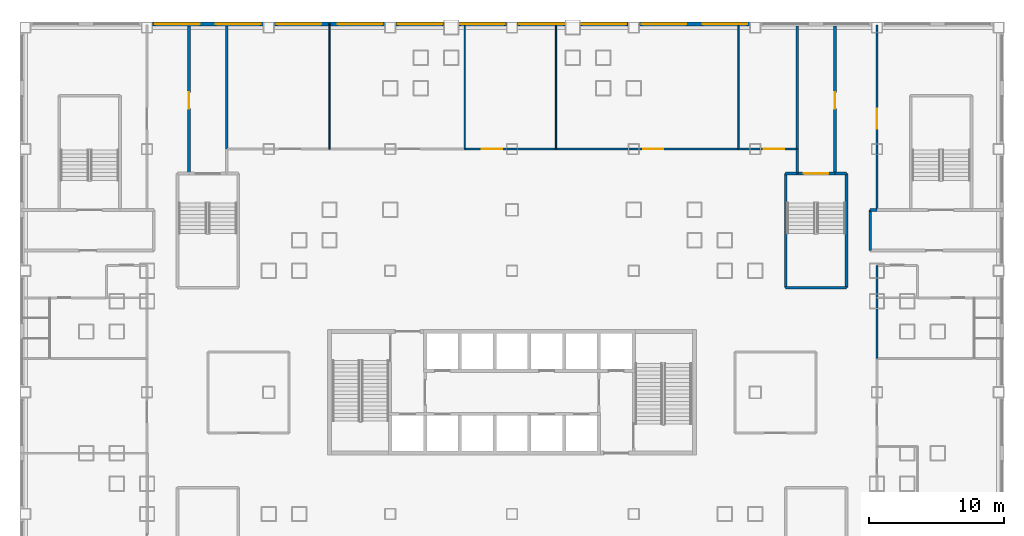
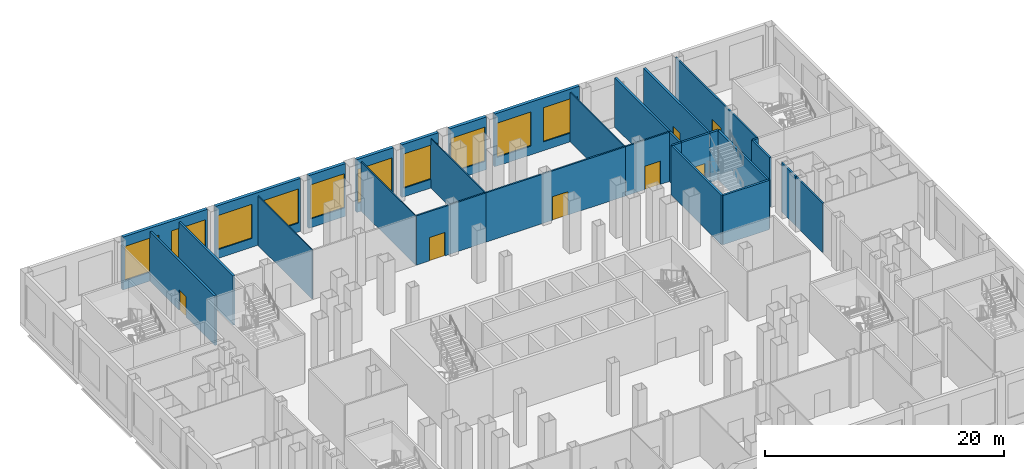
# One storey, part 7 of 27: 30 walls, 10 windows, 7 doors, 17 openings.
"""IFC4 building model written with IfcOpenShell, lengths in metres."""

from ifc_helpers import new_model, si_unit, direction, frame, frame_2d, origin, place, context, subcontext, project, spatial, rectangle, extrude, material, layer, layer_set, type_object, element, fill, save


model = new_model("IFC4")

# Units and contexts
model_context = context("Model", 3, precision=1e-05, world=origin(), true_north=direction((0.0, 1.0)))
body_context = subcontext(model_context, "Body", "Model", "MODEL_VIEW")
ifc_project = project(units=[si_unit("LENGTHUNIT", "METRE"), si_unit("AREAUNIT", "SQUARE_METRE"), si_unit("VOLUMEUNIT", "CUBIC_METRE"), si_unit("PLANEANGLEUNIT", "RADIAN"), si_unit("MASSUNIT", "GRAM", prefix="KILO")], contexts=[model_context])

# Site, building, storey
site_placement = place(None, origin())
site = spatial("IfcSite", under=ifc_project, at=site_placement, CompositionType="ELEMENT")
building_placement = place(site_placement, origin())
building = spatial("IfcBuilding", under=site, at=building_placement, Name="Caravel Reach Hotel and Residences", CompositionType="ELEMENT")
storey_placement = place(building_placement, frame((0.0, 0.0, 6.60009765625)))
storey = spatial("IfcBuildingStorey", under=building, at=storey_placement, Name="L01", CompositionType="ELEMENT", Elevation=6.60009765625)

# Walls
ifc_material_1 = material(Name="Autoclaved aerated block wall")
ifc_layer_1 = layer(ifc_material_1, 0.199951171875)
ifc_layer_set_1 = layer_set([ifc_layer_1], Name="Compartment wall 200 mm EI 120")
wall_type_1 = type_object("IfcWallType", Name="Compartment wall 200 mm EI 120", PredefinedType="PARTITIONING", material=ifc_layer_set_1)
wall_1_placement = place(storey_placement, frame((58.0, 40.5, 0.0), z_axis=(0.0, 0.0, 1.0), x_axis=(1.0, 0.0, 0.0)))
element("IfcWall", 1, at=wall_1_placement, inside=storey, type_object=wall_type_1, Name="L01 wall w072", PredefinedType="PARTITIONING", context=body_context, shape_type="SweptSolid", body=[
    extrude(rectangle(XDim=0.5, YDim=0.199951171875, at=frame_2d((0.25, 0.0))), origin(), (0.0, 0.0, 1.0), 5.0498046875),
])
wall_2_placement = place(storey_placement, frame((10.39990234375, 45.0, 0.0), z_axis=(0.0, 0.0, 1.0), x_axis=(0.0, 1.0, 0.0)))
element("IfcWall", 2, at=wall_2_placement, inside=storey, type_object=wall_type_1, Name="L01 wall w076", PredefinedType="PARTITIONING", context=body_context, shape_type="SweptSolid", body=[
    extrude(rectangle(XDim=9.1201171875, YDim=0.199951171875, at=frame_2d((4.56005859375, 0.0))), origin(), (0.0, 0.0, 1.0), 5.0498046875),
])
wall_3_placement = place(storey_placement, frame((52.60009765625, 43.199951171875, 0.0), z_axis=(0.0, 0.0, 1.0), x_axis=(0.0, 1.0, 0.0)))
element("IfcWall", 3, at=wall_3_placement, inside=storey, type_object=wall_type_1, Name="L01 wall w080", PredefinedType="PARTITIONING", context=body_context, shape_type="SweptSolid", body=[
    extrude(rectangle(XDim=1.800048828125, YDim=0.199951171875, at=frame_2d((0.89990234375, 0.0))), origin(), (0.0, 0.0, 1.0), 5.0498046875),
])
wall_4_placement = place(storey_placement, frame((52.60009765625, 45.0, 0.0), z_axis=(0.0, 0.0, 1.0), x_axis=(0.0, 1.0, 0.0)))
element("IfcWall", 4, at=wall_4_placement, inside=storey, type_object=wall_type_1, Name="L01 wall w081", PredefinedType="PARTITIONING", context=body_context, shape_type="SweptSolid", body=[
    extrude(rectangle(XDim=9.1201171875, YDim=0.199951171875, at=frame_2d((4.56005859375, 0.0))), origin(), (0.0, 0.0, 1.0), 5.0498046875),
])

# Wall, opening, door
wall_5_placement = place(storey_placement, frame((55.39990234375, 43.199951171875, 0.0), z_axis=(0.0, 0.0, 1.0), x_axis=(0.0, 1.0, 0.0)))
wall_5 = element("IfcWall", 5, at=wall_5_placement, inside=storey, type_object=wall_type_1, Name="L01 wall w084", PredefinedType="PARTITIONING", context=body_context, shape_type="SweptSolid", body=[
    extrude(rectangle(XDim=10.920166015625, YDim=0.199951171875, at=frame_2d((5.4599609375, 0.0))), origin(), (0.0, 0.0, 1.0), 5.0498046875),
])
opening_1_placement = place(wall_5_placement, frame((4.800048828125, 0.0, 0.0)))
opening_1 = element("IfcOpeningElement", 6, at=opening_1_placement, cuts=wall_5, Name="Opening D01-016", PredefinedType="OPENING", context=body_context, shape_type="SweptSolid", body=[
    extrude(rectangle(XDim=1.199951171875, YDim=2.10009765625, at=frame_2d((0.60009765625, 1.050048828125))), frame((0.0, 0.10986328125, 0.0), z_axis=(0.0, -1.0, 0.0), x_axis=(1.0, 0.0, 0.0)), (0.0, 0.0, 1.0), 0.219970703125),
])
ifc_material_2 = material(Name="Steel fire door leaf", Category="steel")
door_type_1 = type_object("IfcDoorType", Name="Fire lobby door 1200 x 2100 EI 90", OperationType="SINGLE_SWING_LEFT", PredefinedType="DOOR", material=ifc_material_2)
door_1_placement = place(opening_1_placement, origin())
door_1 = element("IfcDoor", 7, at=door_1_placement, inside=storey, type_object=door_type_1, Name="door D01-016", OperationType="SINGLE_SWING_LEFT", OverallHeight=2.10009765625, OverallWidth=1.199951171875, PredefinedType="DOOR", context=body_context, shape_type="SweptSolid", body=[
    extrude(rectangle(XDim=1.199951171875, YDim=2.10009765625, at=frame_2d((0.60009765625, 1.050048828125))), frame((0.0, 0.02490234375, 0.0), z_axis=(0.0, -1.0, 0.0), x_axis=(1.0, 0.0, 0.0)), (0.0, 0.0, 1.0), 0.050048828125),
])
fill(opening_1, door_1)

# Wall
wall_6_placement = place(storey_placement, frame((58.0, 37.5, 0.0), z_axis=(0.0, 0.0, 1.0), x_axis=(0.0, 1.0, 0.0)))
element("IfcWall", 8, at=wall_6_placement, inside=storey, type_object=wall_type_1, Name="L01 wall w087", PredefinedType="PARTITIONING", context=body_context, shape_type="SweptSolid", body=[
    extrude(rectangle(XDim=3.0, YDim=0.199951171875, at=frame_2d((1.5, 0.0))), origin(), (0.0, 0.0, 1.0), 5.0498046875),
])

# Wall, opening, door
wall_7_placement = place(storey_placement, frame((7.60009765625, 43.199951171875, 0.0), z_axis=(0.0, 0.0, 1.0), x_axis=(0.0, 1.0, 0.0)))
wall_7 = element("IfcWall", 9, at=wall_7_placement, inside=storey, type_object=wall_type_1, Name="L01 wall w089", PredefinedType="PARTITIONING", context=body_context, shape_type="SweptSolid", body=[
    extrude(rectangle(XDim=10.920166015625, YDim=0.199951171875, at=frame_2d((5.4599609375, 0.0))), origin(), (0.0, 0.0, 1.0), 5.0498046875),
])
opening_2_placement = place(wall_7_placement, frame((4.800048828125, 0.0, 0.0)))
opening_2 = element("IfcOpeningElement", 10, at=opening_2_placement, cuts=wall_7, Name="Opening D01-014", PredefinedType="OPENING", context=body_context, shape_type="SweptSolid", body=[
    extrude(rectangle(XDim=1.199951171875, YDim=2.10009765625, at=frame_2d((0.60009765625, 1.050048828125))), frame((0.0, 0.10986328125, 0.0), z_axis=(0.0, -1.0, 0.0), x_axis=(1.0, 0.0, 0.0)), (0.0, 0.0, 1.0), 0.219970703125),
])
door_2_placement = place(opening_2_placement, origin())
door_2 = element("IfcDoor", 11, at=door_2_placement, inside=storey, type_object=door_type_1, Name="door D01-014", OperationType="SINGLE_SWING_LEFT", OverallHeight=2.10009765625, OverallWidth=1.199951171875, PredefinedType="DOOR", context=body_context, shape_type="SweptSolid", body=[
    extrude(rectangle(XDim=1.199951171875, YDim=2.10009765625, at=frame_2d((0.60009765625, 1.050048828125))), frame((0.0, 0.02490234375, 0.0), z_axis=(0.0, -1.0, 0.0), x_axis=(1.0, 0.0, 0.0)), (0.0, 0.0, 1.0), 0.050048828125),
])
fill(opening_2, door_2)

ifc_material_3 = material(Name="Gypsum board on steel stud, fire-rated", Category="steel")
ifc_layer_2 = layer(ifc_material_3, 0.14990234375)
ifc_layer_set_2 = layer_set([ifc_layer_2], Name="Corridor wall 150 mm EI 60")
wall_type_2 = type_object("IfcWallType", Name="Corridor wall 150 mm EI 60", PredefinedType="PARTITIONING", material=ifc_layer_set_2)
wall_8_placement = place(storey_placement, frame((28.0, 45.0, 0.0), z_axis=(0.0, 0.0, 1.0), x_axis=(1.0, 0.0, 0.0)))
wall_8 = element("IfcWall", 12, at=wall_8_placement, inside=storey, type_object=wall_type_2, Name="L01 wall w011", PredefinedType="PARTITIONING", context=body_context, shape_type="SweptSolid", body=[
    extrude(rectangle(XDim=6.75, YDim=0.14990234375, at=frame_2d((3.375, 0.0))), origin(), (0.0, 0.0, 1.0), 5.0498046875),
])
opening_3_placement = place(wall_8_placement, frame((1.27490234375, 0.0, 0.0)))
opening_3 = element("IfcOpeningElement", 13, at=opening_3_placement, cuts=wall_8, Name="Opening D01-048", PredefinedType="OPENING", context=body_context, shape_type="SweptSolid", body=[
    extrude(rectangle(XDim=1.5, YDim=2.39990234375, at=frame_2d((0.75, 1.199951171875))), frame((0.0, 0.0849609375, 0.0), z_axis=(0.0, -1.0, 0.0), x_axis=(1.0, 0.0, 0.0)), (0.0, 0.0, 1.0), 0.169921875),
])
ifc_material_4 = material(Name="Timber and steel door leaf", Category="steel")
door_type_2 = type_object("IfcDoorType", Name="Shopfront door 1500 x 2400", OperationType="DOUBLE_DOOR_SINGLE_SWING", PredefinedType="DOOR", material=ifc_material_4)
door_3_placement = place(opening_3_placement, origin())
door_3 = element("IfcDoor", 14, at=door_3_placement, inside=storey, type_object=door_type_2, Name="door D01-048", OperationType="DOUBLE_DOOR_SINGLE_SWING", OverallHeight=2.39990234375, OverallWidth=1.5, PredefinedType="DOOR", context=body_context, shape_type="SweptSolid", body=[
    extrude(rectangle(XDim=1.5, YDim=2.39990234375, at=frame_2d((0.75, 1.199951171875))), frame((0.0, 0.02490234375, 0.0), z_axis=(0.0, -1.0, 0.0), x_axis=(1.0, 0.0, 0.0)), (0.0, 0.0, 1.0), 0.050048828125),
])
fill(opening_3, door_3)

wall_9_placement = place(storey_placement, frame((34.75, 45.0, 0.0), z_axis=(0.0, 0.0, 1.0), x_axis=(1.0, 0.0, 0.0)))
wall_9 = element("IfcWall", 15, at=wall_9_placement, inside=storey, type_object=wall_type_2, Name="L01 wall w012", PredefinedType="PARTITIONING", context=body_context, shape_type="SweptSolid", body=[
    extrude(rectangle(XDim=13.5, YDim=0.14990234375, at=frame_2d((6.75, 0.0))), origin(), (0.0, 0.0, 1.0), 5.0498046875),
])
opening_4_placement = place(wall_9_placement, frame((6.449951171875, 0.0, 0.0)))
opening_4 = element("IfcOpeningElement", 16, at=opening_4_placement, cuts=wall_9, Name="Opening D01-049", PredefinedType="OPENING", context=body_context, shape_type="SweptSolid", body=[
    extrude(rectangle(XDim=1.5, YDim=2.39990234375, at=frame_2d((0.75, 1.199951171875))), frame((0.0, 0.0849609375, 0.0), z_axis=(0.0, -1.0, 0.0), x_axis=(1.0, 0.0, 0.0)), (0.0, 0.0, 1.0), 0.169921875),
])
door_4_placement = place(opening_4_placement, origin())
door_4 = element("IfcDoor", 17, at=door_4_placement, inside=storey, type_object=door_type_2, Name="door D01-049", OperationType="DOUBLE_DOOR_SINGLE_SWING", OverallHeight=2.39990234375, OverallWidth=1.5, PredefinedType="DOOR", context=body_context, shape_type="SweptSolid", body=[
    extrude(rectangle(XDim=1.5, YDim=2.39990234375, at=frame_2d((0.75, 1.199951171875))), frame((0.0, 0.02490234375, 0.0), z_axis=(0.0, -1.0, 0.0), x_axis=(1.0, 0.0, 0.0)), (0.0, 0.0, 1.0), 0.050048828125),
])
fill(opening_4, door_4)

wall_10_placement = place(storey_placement, frame((48.25, 45.0, 0.0), z_axis=(0.0, 0.0, 1.0), x_axis=(1.0, 0.0, 0.0)))
wall_10 = element("IfcWall", 18, at=wall_10_placement, inside=storey, type_object=wall_type_2, Name="L01 wall w013", PredefinedType="PARTITIONING", context=body_context, shape_type="SweptSolid", body=[
    extrude(rectangle(XDim=4.35009765625, YDim=0.14990234375, at=frame_2d((2.175048828125, 0.0))), origin(), (0.0, 0.0, 1.0), 5.0498046875),
])
opening_5_placement = place(wall_10_placement, frame((1.875, 0.0, 0.0)))
opening_5 = element("IfcOpeningElement", 19, at=opening_5_placement, cuts=wall_10, Name="Opening D01-050", PredefinedType="OPENING", context=body_context, shape_type="SweptSolid", body=[
    extrude(rectangle(XDim=1.5, YDim=2.39990234375, at=frame_2d((0.75, 1.199951171875))), frame((0.0, 0.0849609375, 0.0), z_axis=(0.0, -1.0, 0.0), x_axis=(1.0, 0.0, 0.0)), (0.0, 0.0, 1.0), 0.169921875),
])
door_5_placement = place(opening_5_placement, origin())
door_5 = element("IfcDoor", 20, at=door_5_placement, inside=storey, type_object=door_type_2, Name="door D01-050", OperationType="DOUBLE_DOOR_SINGLE_SWING", OverallHeight=2.39990234375, OverallWidth=1.5, PredefinedType="DOOR", context=body_context, shape_type="SweptSolid", body=[
    extrude(rectangle(XDim=1.5, YDim=2.39990234375, at=frame_2d((0.75, 1.199951171875))), frame((0.0, 0.02490234375, 0.0), z_axis=(0.0, -1.0, 0.0), x_axis=(1.0, 0.0, 0.0)), (0.0, 0.0, 1.0), 0.050048828125),
])
fill(opening_5, door_5)

# Walls
wall_11_placement = place(storey_placement, frame((58.5, 29.5, 0.0), z_axis=(0.0, 0.0, 1.0), x_axis=(0.0, 1.0, 0.0)))
element("IfcWall", 21, at=wall_11_placement, inside=storey, type_object=wall_type_2, Name="L01 wall w035", PredefinedType="PARTITIONING", context=body_context, shape_type="SweptSolid", body=[
    extrude(rectangle(XDim=4.5, YDim=0.14990234375, at=frame_2d((2.25, 0.0))), origin(), (0.0, 0.0, 1.0), 5.0498046875),
])
wall_12_placement = place(storey_placement, frame((58.5, 34.0, 0.0), z_axis=(0.0, 0.0, 1.0), x_axis=(0.0, 1.0, 0.0)))
element("IfcWall", 22, at=wall_12_placement, inside=storey, type_object=wall_type_2, Name="L01 wall w036", PredefinedType="PARTITIONING", context=body_context, shape_type="SweptSolid", body=[
    extrude(rectangle(XDim=2.39990234375, YDim=0.14990234375, at=frame_2d((1.199951171875, 0.0))), origin(), (0.0, 0.0, 1.0), 5.0498046875),
])

# Wall, opening, door
wall_13_placement = place(storey_placement, frame((58.5, 40.5, 0.0), z_axis=(0.0, 0.0, 1.0), x_axis=(0.0, 1.0, 0.0)))
wall_13 = element("IfcWall", 23, at=wall_13_placement, inside=storey, type_object=wall_type_2, Name="L01 wall w037", PredefinedType="PARTITIONING", context=body_context, shape_type="SweptSolid", body=[
    extrude(rectangle(XDim=13.68994140625, YDim=0.14990234375, at=frame_2d((6.844970703125, 0.0))), origin(), (0.0, 0.0, 1.0), 5.0498046875),
])
opening_6_placement = place(wall_13_placement, frame((6.0, 0.0, 0.0)))
opening_6 = element("IfcOpeningElement", 24, at=opening_6_placement, cuts=wall_13, Name="Opening D01-038", PredefinedType="OPENING", context=body_context, shape_type="SweptSolid", body=[
    extrude(rectangle(XDim=1.5, YDim=2.39990234375, at=frame_2d((0.75, 1.199951171875))), frame((0.0, 0.0849609375, 0.0), z_axis=(0.0, -1.0, 0.0), x_axis=(1.0, 0.0, 0.0)), (0.0, 0.0, 1.0), 0.169921875),
])
door_6_placement = place(opening_6_placement, origin())
door_6 = element("IfcDoor", 25, at=door_6_placement, inside=storey, type_object=door_type_2, Name="door D01-038", OperationType="DOUBLE_DOOR_SINGLE_SWING", OverallHeight=2.39990234375, OverallWidth=1.5, PredefinedType="DOOR", context=body_context, shape_type="SweptSolid", body=[
    extrude(rectangle(XDim=1.5, YDim=2.39990234375, at=frame_2d((0.75, 1.199951171875))), frame((0.0, 0.02490234375, 0.0), z_axis=(0.0, -1.0, 0.0), x_axis=(1.0, 0.0, 0.0)), (0.0, 0.0, 1.0), 0.050048828125),
])
fill(opening_6, door_6)

# Wall, openings, windows
ifc_material_5 = material(Name="Insulated wall, stone cladding", Category="masonry")
ifc_layer_3 = layer(ifc_material_5, 0.300048828125)
ifc_layer_set_3 = layer_set([ifc_layer_3], Name="EW2 Podium stone-clad wall")
wall_type_3 = type_object("IfcWallType", Name="EW2 Podium stone-clad wall", PredefinedType="SOLIDWALL", material=ifc_layer_set_3)
wall_14_placement = place(storey_placement, frame((49.10009765625, 54.25, 0.0), z_axis=(0.0, 0.0, 1.0), x_axis=(-1.0, 0.0, 0.0)))
wall_14 = element("IfcWall", 26, at=wall_14_placement, inside=storey, type_object=wall_type_3, Name="External wall L01 N2.3", PredefinedType="SOLIDWALL", context=body_context, shape_type="SweptSolid", body=[
    extrude(rectangle(XDim=8.2001953125, YDim=0.300048828125, at=frame_2d((4.10009765625, 0.0))), origin(), (0.0, 0.0, 1.0), 5.39990234375),
])
opening_7_placement = place(wall_14_placement, frame((0.199951171875, 0.0, 0.89990234375)))
opening_7 = element("IfcOpeningElement", 27, at=opening_7_placement, cuts=wall_14, Name="Opening WN30", PredefinedType="OPENING", context=body_context, shape_type="SweptSolid", body=[
    extrude(rectangle(XDim=3.300048828125, YDim=3.5, at=frame_2d((1.64990234375, 1.75))), frame((0.0, 0.159912109375, 0.0), z_axis=(0.0, -1.0, 0.0), x_axis=(1.0, 0.0, 0.0)), (0.0, 0.0, 1.0), 0.320068359375),
])
opening_8_placement = place(wall_14_placement, frame((4.699951171875, 0.0, 0.89990234375)))
opening_8 = element("IfcOpeningElement", 28, at=opening_8_placement, cuts=wall_14, Name="Opening WN30", PredefinedType="OPENING", context=body_context, shape_type="SweptSolid", body=[
    extrude(rectangle(XDim=3.300048828125, YDim=3.5, at=frame_2d((1.64990234375, 1.75))), frame((0.0, 0.159912109375, 0.0), z_axis=(0.0, -1.0, 0.0), x_axis=(1.0, 0.0, 0.0)), (0.0, 0.0, 1.0), 0.320068359375),
])
ifc_material_6 = material(Name="Dark low-e glazing in black aluminium frame", Category="aluminium")
window_type = type_object("IfcWindowType", Name="Podium window 3300 x 3500", PartitioningType="SINGLE_PANEL", PredefinedType="WINDOW", material=ifc_material_6)
window_1_placement = place(opening_7_placement, origin())
window_1 = element("IfcWindow", 29, at=window_1_placement, inside=storey, type_object=window_type, Name="Window L01 N2.3.1", OverallHeight=3.5, OverallWidth=3.300048828125, PartitioningType="SINGLE_PANEL", PredefinedType="WINDOW", context=body_context, shape_type="SweptSolid", body=[
    extrude(rectangle(XDim=3.300048828125, YDim=3.5, at=frame_2d((1.64990234375, 1.75))), frame((0.0, 0.030029296875, 0.0), z_axis=(0.0, -1.0, 0.0), x_axis=(1.0, 0.0, 0.0)), (0.0, 0.0, 1.0), 0.06005859375),
])
fill(opening_7, window_1)
window_2_placement = place(opening_8_placement, origin())
window_2 = element("IfcWindow", 30, at=window_2_placement, inside=storey, type_object=window_type, Name="Window L01 N2.3.2", OverallHeight=3.5, OverallWidth=3.300048828125, PartitioningType="SINGLE_PANEL", PredefinedType="WINDOW", context=body_context, shape_type="SweptSolid", body=[
    extrude(rectangle(XDim=3.300048828125, YDim=3.5, at=frame_2d((1.64990234375, 1.75))), frame((0.0, 0.030029296875, 0.0), z_axis=(0.0, -1.0, 0.0), x_axis=(1.0, 0.0, 0.0)), (0.0, 0.0, 1.0), 0.06005859375),
])
fill(opening_8, window_2)

# Wall, opening, window
wall_15_placement = place(storey_placement, frame((40.10009765625, 54.25, 0.0), z_axis=(0.0, 0.0, 1.0), x_axis=(-1.0, 0.0, 0.0)))
wall_15 = element("IfcWall", 31, at=wall_15_placement, inside=storey, type_object=wall_type_3, Name="External wall L01 N2.4", PredefinedType="SOLIDWALL", context=body_context, shape_type="SweptSolid", body=[
    extrude(rectangle(XDim=3.550048828125, YDim=0.300048828125, at=frame_2d((1.77490234375, 0.0))), origin(), (0.0, 0.0, 1.0), 5.39990234375),
])
opening_9_placement = place(wall_15_placement, frame((0.14990234375, 0.0, 0.89990234375)))
opening_9 = element("IfcOpeningElement", 32, at=opening_9_placement, cuts=wall_15, Name="Opening WN30", PredefinedType="OPENING", context=body_context, shape_type="SweptSolid", body=[
    extrude(rectangle(XDim=3.300048828125, YDim=3.5, at=frame_2d((1.64990234375, 1.75))), frame((0.0, 0.159912109375, 0.0), z_axis=(0.0, -1.0, 0.0), x_axis=(1.0, 0.0, 0.0)), (0.0, 0.0, 1.0), 0.320068359375),
])
window_3_placement = place(opening_9_placement, origin())
window_3 = element("IfcWindow", 33, at=window_3_placement, inside=storey, type_object=window_type, Name="Window L01 N2.4.1", OverallHeight=3.5, OverallWidth=3.300048828125, PartitioningType="SINGLE_PANEL", PredefinedType="WINDOW", context=body_context, shape_type="SweptSolid", body=[
    extrude(rectangle(XDim=3.300048828125, YDim=3.5, at=frame_2d((1.64990234375, 1.75))), frame((0.0, 0.030029296875, 0.0), z_axis=(0.0, -1.0, 0.0), x_axis=(1.0, 0.0, 0.0)), (0.0, 0.0, 1.0), 0.06005859375),
])
fill(opening_9, window_3)

wall_16_placement = place(storey_placement, frame((35.449951171875, 54.25, 0.0), z_axis=(0.0, 0.0, 1.0), x_axis=(-1.0, 0.0, 0.0)))
wall_16 = element("IfcWall", 34, at=wall_16_placement, inside=storey, type_object=wall_type_3, Name="External wall L01 N2.5", PredefinedType="SOLIDWALL", context=body_context, shape_type="SweptSolid", body=[
    extrude(rectangle(XDim=3.550048828125, YDim=0.300048828125, at=frame_2d((1.77490234375, 0.0))), origin(), (0.0, 0.0, 1.0), 5.39990234375),
])
opening_10_placement = place(wall_16_placement, frame((0.10009765625, 0.0, 0.89990234375)))
opening_10 = element("IfcOpeningElement", 35, at=opening_10_placement, cuts=wall_16, Name="Opening WN30", PredefinedType="OPENING", context=body_context, shape_type="SweptSolid", body=[
    extrude(rectangle(XDim=3.300048828125, YDim=3.5, at=frame_2d((1.64990234375, 1.75))), frame((0.0, 0.159912109375, 0.0), z_axis=(0.0, -1.0, 0.0), x_axis=(1.0, 0.0, 0.0)), (0.0, 0.0, 1.0), 0.320068359375),
])
window_4_placement = place(opening_10_placement, origin())
window_4 = element("IfcWindow", 36, at=window_4_placement, inside=storey, type_object=window_type, Name="Window L01 N2.5.1", OverallHeight=3.5, OverallWidth=3.300048828125, PartitioningType="SINGLE_PANEL", PredefinedType="WINDOW", context=body_context, shape_type="SweptSolid", body=[
    extrude(rectangle(XDim=3.300048828125, YDim=3.5, at=frame_2d((1.64990234375, 1.75))), frame((0.0, 0.030029296875, 0.0), z_axis=(0.0, -1.0, 0.0), x_axis=(1.0, 0.0, 0.0)), (0.0, 0.0, 1.0), 0.06005859375),
])
fill(opening_10, window_4)

wall_17_placement = place(storey_placement, frame((31.10009765625, 54.25, 0.0), z_axis=(0.0, 0.0, 1.0), x_axis=(-1.0, 0.0, 0.0)))
wall_17 = element("IfcWall", 37, at=wall_17_placement, inside=storey, type_object=wall_type_3, Name="External wall L01 N2.6", PredefinedType="SOLIDWALL", context=body_context, shape_type="SweptSolid", body=[
    extrude(rectangle(XDim=3.550048828125, YDim=0.300048828125, at=frame_2d((1.77490234375, 0.0))), origin(), (0.0, 0.0, 1.0), 5.39990234375),
])
opening_11_placement = place(wall_17_placement, frame((0.14990234375, 0.0, 0.89990234375)))
opening_11 = element("IfcOpeningElement", 38, at=opening_11_placement, cuts=wall_17, Name="Opening WN30", PredefinedType="OPENING", context=body_context, shape_type="SweptSolid", body=[
    extrude(rectangle(XDim=3.300048828125, YDim=3.5, at=frame_2d((1.64990234375, 1.75))), frame((0.0, 0.159912109375, 0.0), z_axis=(0.0, -1.0, 0.0), x_axis=(1.0, 0.0, 0.0)), (0.0, 0.0, 1.0), 0.320068359375),
])
window_5_placement = place(opening_11_placement, origin())
window_5 = element("IfcWindow", 39, at=window_5_placement, inside=storey, type_object=window_type, Name="Window L01 N2.6.1", OverallHeight=3.5, OverallWidth=3.300048828125, PartitioningType="SINGLE_PANEL", PredefinedType="WINDOW", context=body_context, shape_type="SweptSolid", body=[
    extrude(rectangle(XDim=3.300048828125, YDim=3.5, at=frame_2d((1.64990234375, 1.75))), frame((0.0, 0.030029296875, 0.0), z_axis=(0.0, -1.0, 0.0), x_axis=(1.0, 0.0, 0.0)), (0.0, 0.0, 1.0), 0.06005859375),
])
fill(opening_11, window_5)

wall_18_placement = place(storey_placement, frame((26.449951171875, 54.25, 0.0), z_axis=(0.0, 0.0, 1.0), x_axis=(-1.0, 0.0, 0.0)))
wall_18 = element("IfcWall", 40, at=wall_18_placement, inside=storey, type_object=wall_type_3, Name="External wall L01 N2.7", PredefinedType="SOLIDWALL", context=body_context, shape_type="SweptSolid", body=[
    extrude(rectangle(XDim=3.550048828125, YDim=0.300048828125, at=frame_2d((1.77490234375, 0.0))), origin(), (0.0, 0.0, 1.0), 5.39990234375),
])
opening_12_placement = place(wall_18_placement, frame((0.10009765625, 0.0, 0.89990234375)))
opening_12 = element("IfcOpeningElement", 41, at=opening_12_placement, cuts=wall_18, Name="Opening WN30", PredefinedType="OPENING", context=body_context, shape_type="SweptSolid", body=[
    extrude(rectangle(XDim=3.300048828125, YDim=3.5, at=frame_2d((1.64990234375, 1.75))), frame((0.0, 0.159912109375, 0.0), z_axis=(0.0, -1.0, 0.0), x_axis=(1.0, 0.0, 0.0)), (0.0, 0.0, 1.0), 0.320068359375),
])
window_6_placement = place(opening_12_placement, origin())
window_6 = element("IfcWindow", 42, at=window_6_placement, inside=storey, type_object=window_type, Name="Window L01 N2.7.1", OverallHeight=3.5, OverallWidth=3.300048828125, PartitioningType="SINGLE_PANEL", PredefinedType="WINDOW", context=body_context, shape_type="SweptSolid", body=[
    extrude(rectangle(XDim=3.300048828125, YDim=3.5, at=frame_2d((1.64990234375, 1.75))), frame((0.0, 0.030029296875, 0.0), z_axis=(0.0, -1.0, 0.0), x_axis=(1.0, 0.0, 0.0)), (0.0, 0.0, 1.0), 0.06005859375),
])
fill(opening_12, window_6)

# Wall, openings, windows
wall_19_placement = place(storey_placement, frame((22.10009765625, 54.25, 0.0), z_axis=(0.0, 0.0, 1.0), x_axis=(-1.0, 0.0, 0.0)))
wall_19 = element("IfcWall", 43, at=wall_19_placement, inside=storey, type_object=wall_type_3, Name="External wall L01 N2.8", PredefinedType="SOLIDWALL", context=body_context, shape_type="SweptSolid", body=[
    extrude(rectangle(XDim=8.2001953125, YDim=0.300048828125, at=frame_2d((4.10009765625, 0.0))), origin(), (0.0, 0.0, 1.0), 5.39990234375),
])
opening_13_placement = place(wall_19_placement, frame((0.199951171875, 0.0, 0.89990234375)))
opening_13 = element("IfcOpeningElement", 44, at=opening_13_placement, cuts=wall_19, Name="Opening WN30", PredefinedType="OPENING", context=body_context, shape_type="SweptSolid", body=[
    extrude(rectangle(XDim=3.300048828125, YDim=3.5, at=frame_2d((1.64990234375, 1.75))), frame((0.0, 0.159912109375, 0.0), z_axis=(0.0, -1.0, 0.0), x_axis=(1.0, 0.0, 0.0)), (0.0, 0.0, 1.0), 0.320068359375),
])
opening_14_placement = place(wall_19_placement, frame((4.699951171875, 0.0, 0.89990234375)))
opening_14 = element("IfcOpeningElement", 45, at=opening_14_placement, cuts=wall_19, Name="Opening WN30", PredefinedType="OPENING", context=body_context, shape_type="SweptSolid", body=[
    extrude(rectangle(XDim=3.300048828125, YDim=3.5, at=frame_2d((1.64990234375, 1.75))), frame((0.0, 0.159912109375, 0.0), z_axis=(0.0, -1.0, 0.0), x_axis=(1.0, 0.0, 0.0)), (0.0, 0.0, 1.0), 0.320068359375),
])
window_7_placement = place(opening_13_placement, origin())
window_7 = element("IfcWindow", 46, at=window_7_placement, inside=storey, type_object=window_type, Name="Window L01 N2.8.1", OverallHeight=3.5, OverallWidth=3.300048828125, PartitioningType="SINGLE_PANEL", PredefinedType="WINDOW", context=body_context, shape_type="SweptSolid", body=[
    extrude(rectangle(XDim=3.300048828125, YDim=3.5, at=frame_2d((1.64990234375, 1.75))), frame((0.0, 0.030029296875, 0.0), z_axis=(0.0, -1.0, 0.0), x_axis=(1.0, 0.0, 0.0)), (0.0, 0.0, 1.0), 0.06005859375),
])
fill(opening_13, window_7)
window_8_placement = place(opening_14_placement, origin())
window_8 = element("IfcWindow", 47, at=window_8_placement, inside=storey, type_object=window_type, Name="Window L01 N2.8.2", OverallHeight=3.5, OverallWidth=3.300048828125, PartitioningType="SINGLE_PANEL", PredefinedType="WINDOW", context=body_context, shape_type="SweptSolid", body=[
    extrude(rectangle(XDim=3.300048828125, YDim=3.5, at=frame_2d((1.64990234375, 1.75))), frame((0.0, 0.030029296875, 0.0), z_axis=(0.0, -1.0, 0.0), x_axis=(1.0, 0.0, 0.0)), (0.0, 0.0, 1.0), 0.06005859375),
])
fill(opening_14, window_8)

wall_20_placement = place(storey_placement, frame((13.10009765625, 54.25, 0.0), z_axis=(0.0, 0.0, 1.0), x_axis=(-1.0, 0.0, 0.0)))
wall_20 = element("IfcWall", 48, at=wall_20_placement, inside=storey, type_object=wall_type_3, Name="External wall L01 N2.9", PredefinedType="SOLIDWALL", context=body_context, shape_type="SweptSolid", body=[
    extrude(rectangle(XDim=8.2001953125, YDim=0.300048828125, at=frame_2d((4.10009765625, 0.0))), origin(), (0.0, 0.0, 1.0), 5.39990234375),
])
opening_15_placement = place(wall_20_placement, frame((0.199951171875, 0.0, 0.89990234375)))
opening_15 = element("IfcOpeningElement", 49, at=opening_15_placement, cuts=wall_20, Name="Opening WN30", PredefinedType="OPENING", context=body_context, shape_type="SweptSolid", body=[
    extrude(rectangle(XDim=3.300048828125, YDim=3.5, at=frame_2d((1.64990234375, 1.75))), frame((0.0, 0.159912109375, 0.0), z_axis=(0.0, -1.0, 0.0), x_axis=(1.0, 0.0, 0.0)), (0.0, 0.0, 1.0), 0.320068359375),
])
opening_16_placement = place(wall_20_placement, frame((4.699951171875, 0.0, 0.89990234375)))
opening_16 = element("IfcOpeningElement", 50, at=opening_16_placement, cuts=wall_20, Name="Opening WN30", PredefinedType="OPENING", context=body_context, shape_type="SweptSolid", body=[
    extrude(rectangle(XDim=3.300048828125, YDim=3.5, at=frame_2d((1.64990234375, 1.75))), frame((0.0, 0.159912109375, 0.0), z_axis=(0.0, -1.0, 0.0), x_axis=(1.0, 0.0, 0.0)), (0.0, 0.0, 1.0), 0.320068359375),
])
window_9_placement = place(opening_15_placement, origin())
window_9 = element("IfcWindow", 51, at=window_9_placement, inside=storey, type_object=window_type, Name="Window L01 N2.9.1", OverallHeight=3.5, OverallWidth=3.300048828125, PartitioningType="SINGLE_PANEL", PredefinedType="WINDOW", context=body_context, shape_type="SweptSolid", body=[
    extrude(rectangle(XDim=3.300048828125, YDim=3.5, at=frame_2d((1.64990234375, 1.75))), frame((0.0, 0.030029296875, 0.0), z_axis=(0.0, -1.0, 0.0), x_axis=(1.0, 0.0, 0.0)), (0.0, 0.0, 1.0), 0.06005859375),
])
fill(opening_15, window_9)
window_10_placement = place(opening_16_placement, origin())
window_10 = element("IfcWindow", 52, at=window_10_placement, inside=storey, type_object=window_type, Name="Window L01 N2.9.2", OverallHeight=3.5, OverallWidth=3.300048828125, PartitioningType="SINGLE_PANEL", PredefinedType="WINDOW", context=body_context, shape_type="SweptSolid", body=[
    extrude(rectangle(XDim=3.300048828125, YDim=3.5, at=frame_2d((1.64990234375, 1.75))), frame((0.0, 0.030029296875, 0.0), z_axis=(0.0, -1.0, 0.0), x_axis=(1.0, 0.0, 0.0)), (0.0, 0.0, 1.0), 0.06005859375),
])
fill(opening_16, window_10)

# Walls
ifc_material_7 = material(Name="Gypsum board on steel stud", Category="steel")
ifc_layer_4 = layer(ifc_material_7, 0.10009765625)
ifc_layer_set_4 = layer_set([ifc_layer_4], Name="Partition 100 mm")
wall_type_4 = type_object("IfcWallType", Name="Partition 100 mm", PredefinedType="PARTITIONING", material=ifc_layer_set_4)
wall_21_placement = place(storey_placement, frame((18.0, 45.0, 0.0), z_axis=(0.0, 0.0, 1.0), x_axis=(0.0, 1.0, 0.0)))
element("IfcWall", 53, at=wall_21_placement, inside=storey, type_object=wall_type_4, Name="L01 wall w048", PredefinedType="PARTITIONING", context=body_context, shape_type="SweptSolid", body=[
    extrude(rectangle(XDim=9.2900390625, YDim=0.10009765625, at=frame_2d((4.64501953125, 0.0))), origin(), (0.0, 0.0, 1.0), 5.0498046875),
])
for number, where, z_axis, x_axis, name in (
    (54, (28.0, 45.0, 0.0), (0.0, 0.0, 1.0), (0.0, 1.0, 0.0), "L01 wall w050"),
    (55, (34.75, 45.0, 0.0), (0.0, 0.0, 1.0), (0.0, 1.0, 0.0), "L01 wall w052"),
    (56, (48.25, 45.0, 0.0), (0.0, 0.0, 1.0), (0.0, 1.0, 0.0), "L01 wall w055"),
):
    element("IfcWall", number, at=place(storey_placement, frame(where, z_axis=z_axis, x_axis=x_axis)), inside=storey, type_object=wall_type_4, Name=name, PredefinedType="PARTITIONING", context=body_context, shape_type="SweptSolid", body=[
        extrude(rectangle(XDim=9.1201171875, YDim=0.10009765625, at=frame_2d((4.56005859375, 0.0))), origin(), (0.0, 0.0, 1.0), 5.0498046875),
    ])
ifc_material_8 = material(Name="Concrete C60", Category="concrete")
ifc_layer_5 = layer(ifc_material_8, 0.199951171875)
ifc_layer_set_5 = layer_set([ifc_layer_5], Name="Stair enclosure wall 200 mm EI 120")
wall_type_5 = type_object("IfcWallType", Name="Stair enclosure wall 200 mm EI 120", PredefinedType="SHEAR", material=ifc_layer_set_5)
wall_22_placement = place(storey_placement, frame((51.75, 34.75, 0.0), z_axis=(0.0, 0.0, 1.0), x_axis=(1.0, 0.0, 0.0)))
element("IfcWall", 57, at=wall_22_placement, inside=storey, type_object=wall_type_5, Name="L01 wall w102", PredefinedType="SHEAR", context=body_context, shape_type="SweptSolid", body=[
    extrude(rectangle(XDim=4.5, YDim=0.199951171875, at=frame_2d((2.25, 0.0))), origin(), (0.0, 0.0, 1.0), 5.0498046875),
])
for number, where, z_axis, x_axis, name in (
    (58, (51.75, 43.199951171875, 0.0), (0.0, 0.0, 1.0), (1.0, 0.0, 0.0), "L01 wall w108"),
    (59, (55.39990234375, 43.199951171875, 0.0), (0.0, 0.0, 1.0), (1.0, 0.0, 0.0), "L01 wall w109"),
):
    element("IfcWall", number, at=place(storey_placement, frame(where, z_axis=z_axis, x_axis=x_axis)), inside=storey, type_object=wall_type_5, Name=name, PredefinedType="SHEAR", context=body_context, shape_type="SweptSolid", body=[
        extrude(rectangle(XDim=0.85009765625, YDim=0.199951171875, at=frame_2d((0.425048828125, 0.0))), origin(), (0.0, 0.0, 1.0), 5.0498046875),
    ])

# Wall, opening, door
wall_23_placement = place(storey_placement, frame((52.60009765625, 43.199951171875, 0.0), z_axis=(0.0, 0.0, 1.0), x_axis=(1.0, 0.0, 0.0)))
wall_23 = element("IfcWall", 60, at=wall_23_placement, inside=storey, type_object=wall_type_5, Name="L01 wall w110", PredefinedType="SHEAR", context=body_context, shape_type="SweptSolid", body=[
    extrude(rectangle(XDim=2.7998046875, YDim=0.199951171875, at=frame_2d((1.39990234375, 0.0))), origin(), (0.0, 0.0, 1.0), 5.0498046875),
])
opening_17_placement = place(wall_23_placement, frame((0.5, 0.0, 0.0)))
opening_17 = element("IfcOpeningElement", 61, at=opening_17_placement, cuts=wall_23, Name="Opening D01-017", PredefinedType="OPENING", context=body_context, shape_type="SweptSolid", body=[
    extrude(rectangle(XDim=1.800048828125, YDim=2.10009765625, at=frame_2d((0.89990234375, 1.050048828125))), frame((0.0, 0.10986328125, 0.0), z_axis=(0.0, -1.0, 0.0), x_axis=(1.0, 0.0, 0.0)), (0.0, 0.0, 1.0), 0.219970703125),
])
ifc_material_9 = material(Name="Steel fire door leaf", Category="steel")
door_type_3 = type_object("IfcDoorType", Name="Stair door pair 1800 x 2100 EI 90", OperationType="DOUBLE_DOOR_SINGLE_SWING", PredefinedType="DOOR", material=ifc_material_9)
door_7_placement = place(opening_17_placement, origin())
door_7 = element("IfcDoor", 62, at=door_7_placement, inside=storey, type_object=door_type_3, Name="door D01-017", OperationType="DOUBLE_DOOR_SINGLE_SWING", OverallHeight=2.10009765625, OverallWidth=1.800048828125, PredefinedType="DOOR", context=body_context, shape_type="SweptSolid", body=[
    extrude(rectangle(XDim=1.800048828125, YDim=2.10009765625, at=frame_2d((0.89990234375, 1.050048828125))), frame((0.0, 0.02490234375, 0.0), z_axis=(0.0, -1.0, 0.0), x_axis=(1.0, 0.0, 0.0)), (0.0, 0.0, 1.0), 0.050048828125),
])
fill(opening_17, door_7)

# Walls
for number, where, z_axis, x_axis, name in (
    (63, (51.75, 34.75, 0.0), (0.0, 0.0, 1.0), (0.0, 1.0, 0.0), "L01 wall w118"),
    (64, (56.25, 34.75, 0.0), (0.0, 0.0, 1.0), (0.0, 1.0, 0.0), "L01 wall w120"),
):
    element("IfcWall", number, at=place(storey_placement, frame(where, z_axis=z_axis, x_axis=x_axis)), inside=storey, type_object=wall_type_5, Name=name, PredefinedType="SHEAR", context=body_context, shape_type="SweptSolid", body=[
        extrude(rectangle(XDim=8.449951171875, YDim=0.199951171875, at=frame_2d((4.22509765625, 0.0))), origin(), (0.0, 0.0, 1.0), 5.0498046875),
    ])

save(model, "model.ifc")
